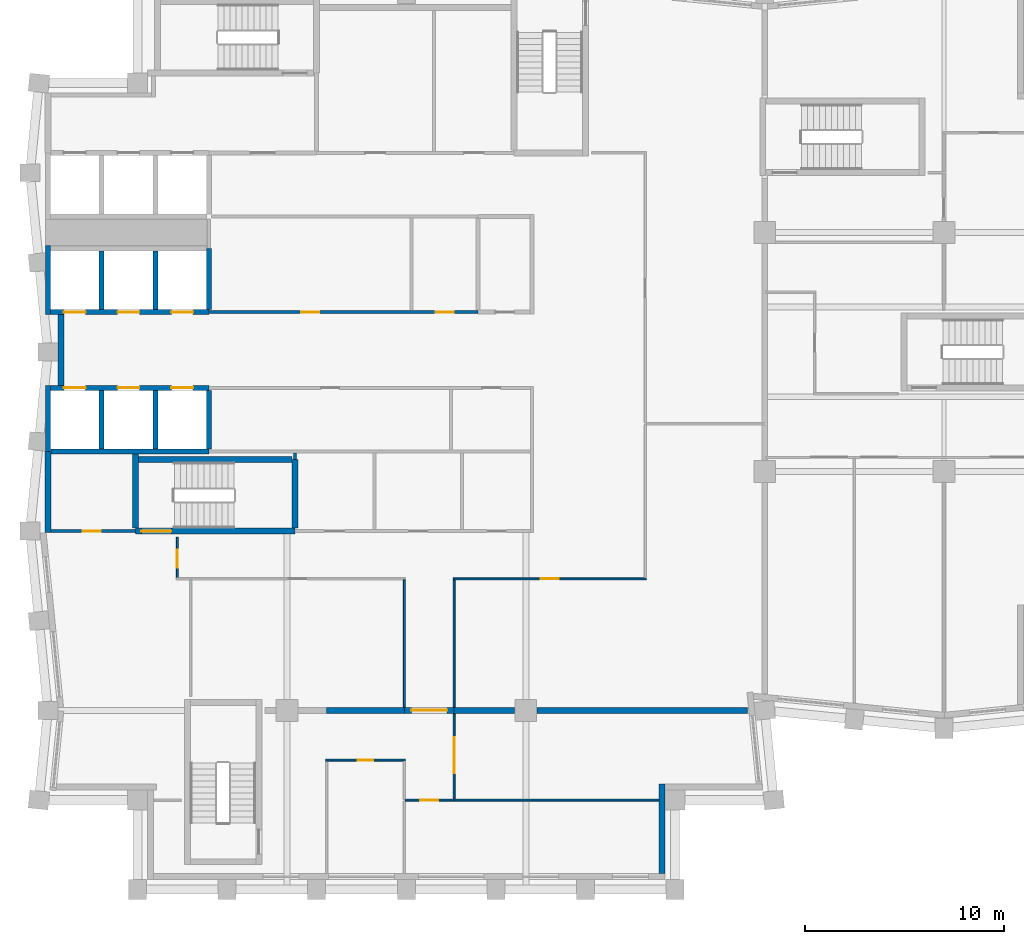
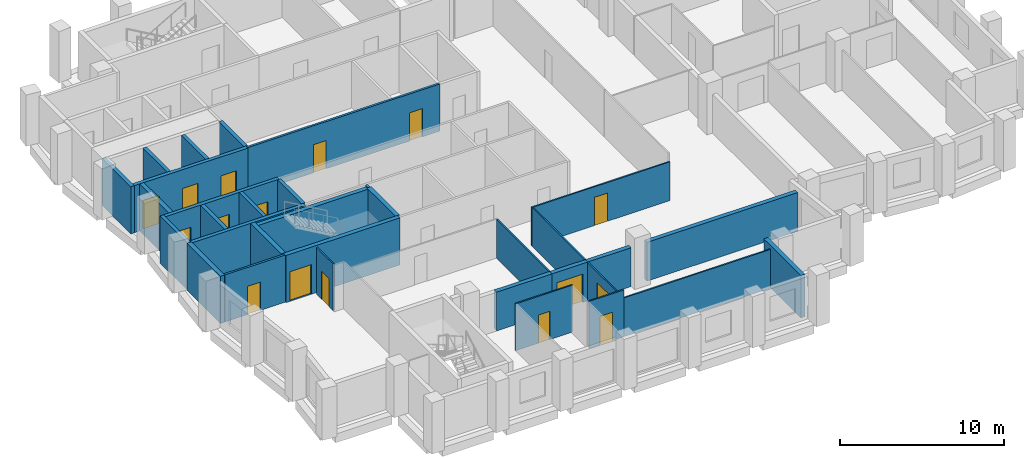
# One storey, part 3 of 8: 33 walls, 16 doors, 16 openings.
"""IFC4 building model written with IfcOpenShell, lengths in metres."""

import ifcopenshell
import ifcopenshell.guid

model = None  # the IFC model being written
_history = None  # IfcOwnerHistory: only IFC2X3 demands one
_inside = {}  # id of a spatial element -> (the spatial element, [elements in it])
_under = {}  # id of a project, library or spatial element -> (it, [spatial elements below it])
_declared = {}  # id of a project -> (the project, [libraries it declares])
_typed = {}  # id of a type object -> (the type object, [elements of that type])
_made_of = {}  # id of a material, layer set ... -> (it, [elements and type objects made of it])


def new_model(schema):
    """Start an empty IFC model of exactly this schema.

    Asked for "IFC4X3", IfcOpenShell would pick the latest addendum, in which some entities
    have other attributes; the version numbers below select the first issue.
    IFC2X3 requires an IfcOwnerHistory on every rooted entity: one is made here for all.
    """
    global model, _history
    if schema == "IFC4X3":
        model = ifcopenshell.file(schema_version=(4, 3, 0, 0))
    else:
        model = ifcopenshell.file(schema=schema)
    _inside.clear()
    _under.clear()
    _declared.clear()
    _typed.clear()
    _made_of.clear()
    _history = None
    if model.schema == "IFC2X3":
        org = make("IfcOrganization", Name="unknown")
        user = make(
            "IfcPersonAndOrganization",
            ThePerson=make("IfcPerson", FamilyName="unknown"),
            TheOrganization=org,
        )
        app = make(
            "IfcApplication",
            ApplicationDeveloper=org,
            Version="unknown",
            ApplicationFullName="unknown",
            ApplicationIdentifier="unknown",
        )
        _history = make(
            "IfcOwnerHistory",
            OwningUser=user,
            OwningApplication=app,
            ChangeAction="ADDED",
            CreationDate=0,
        )
    return model


def make(cls, **values):
    """One entity of the class cls with the attributes given. An attribute that is None is left unset."""
    return model.create_entity(
        cls, **{name: value for name, value in values.items() if value is not None}
    )


def rooted(cls, **values):
    """An entity with a GlobalId (a new one), such as an element, a storey or a relation."""
    return make(cls, GlobalId=ifcopenshell.guid.new(), OwnerHistory=_history, **values)


def si_unit(unit_type, name, prefix=None):
    """IfcSIUnit, for example si_unit("LENGTHUNIT", "METRE", prefix="MILLI")."""
    return make("IfcSIUnit", UnitType=unit_type, Prefix=prefix, Name=name)


def assignment(units):
    """IfcUnitAssignment: the units of a project."""
    return None if units is None else make("IfcUnitAssignment", Units=units)


def point(xyz):
    """IfcCartesianPoint."""
    return None if xyz is None else make("IfcCartesianPoint", Coordinates=xyz)


def direction(xyz):
    """IfcDirection."""
    return None if xyz is None else make("IfcDirection", DirectionRatios=xyz)


def frame(location, z_axis=None, x_axis=None):
    """IfcAxis2Placement3D, a coordinate frame: its origin and axes. An axis left out is left unset."""
    return make(
        "IfcAxis2Placement3D",
        Location=point(location),
        Axis=direction(z_axis),
        RefDirection=direction(x_axis),
    )


def frame_2d(location, x_axis=None):
    """IfcAxis2Placement2D, a coordinate frame in the plane: its origin and x axis."""
    return make(
        "IfcAxis2Placement2D", Location=point(location), RefDirection=direction(x_axis)
    )


def origin():
    """The frame at (0, 0, 0) with its axes left unset."""
    return frame((0.0, 0.0, 0.0))


def place(relative_to, where):
    """IfcLocalPlacement: puts the frame where relative to a parent placement (None: the world)."""
    return make(
        "IfcLocalPlacement", PlacementRelTo=relative_to, RelativePlacement=where
    )


def context(
    kind, dimensions, precision=None, world=None, true_north=None, identifier=None
):
    """IfcGeometricRepresentationContext, for example the 3D "Model" context."""
    return make(
        "IfcGeometricRepresentationContext",
        ContextIdentifier=identifier,
        ContextType=kind,
        CoordinateSpaceDimension=dimensions,
        Precision=precision,
        WorldCoordinateSystem=world,
        TrueNorth=true_north,
    )


def subcontext(parent, identifier, kind, view, scale=None):
    """IfcGeometricRepresentationSubContext, for example "Body" below "Model"."""
    return make(
        "IfcGeometricRepresentationSubContext",
        ContextIdentifier=identifier,
        ContextType=kind,
        ParentContext=parent,
        TargetScale=scale,
        TargetView=view,
    )


def project(units=None, contexts=None):
    """IfcProject with its units and contexts."""
    return rooted(
        "IfcProject",
        Name="project",
        RepresentationContexts=contexts,
        UnitsInContext=assignment(units),
    )


def spatial(cls, under=None, at=None, **own):
    """A site, building, storey or space (cls), placed at a placement, below another one or the project."""
    s = rooted(cls, ObjectPlacement=at, **own)
    if under is not None:
        _under.setdefault(under.id(), (under, []))[1].append(s)
    return s


def profile(cls, at=None, kind="AREA", **sizes):
    """A parametric profile (cls). Its sizes go by their IFC names, for example OverallWidth=200.0."""
    return make(cls, ProfileType=kind, Position=at, **sizes)


def rectangle(**sizes):
    """IfcRectangleProfileDef."""
    return profile("IfcRectangleProfileDef", **sizes)


def extrude(swept, where, along, depth):
    """IfcExtrudedAreaSolid: the profile swept, set in the frame where, extruded along a direction by depth."""
    return make(
        "IfcExtrudedAreaSolid",
        SweptArea=swept,
        Position=where,
        ExtrudedDirection=direction(along),
        Depth=depth,
    )


def shape(context_of_items, identifier, shape_type, items):
    """IfcShapeRepresentation: the items that make up one representation, for example the "Body"."""
    return make(
        "IfcShapeRepresentation",
        ContextOfItems=context_of_items,
        RepresentationIdentifier=identifier,
        RepresentationType=shape_type,
        Items=items,
    )


def material(Name=None, Category=None):
    """IfcMaterial."""
    return make("IfcMaterial", Name=Name, Category=Category)


def layer(
    of_material, thickness, ventilated=None, Name=None, Category=None, Priority=None
):
    """IfcMaterialLayer: one layer of a wall or slab, of a material (None: an air gap)."""
    return make(
        "IfcMaterialLayer",
        Material=of_material,
        LayerThickness=thickness,
        IsVentilated=ventilated,
        Name=Name,
        Category=Category,
        Priority=Priority,
    )


def layer_set(layers, Name=None):
    """IfcMaterialLayerSet."""
    return make("IfcMaterialLayerSet", MaterialLayers=layers, LayerSetName=Name)


def made_of(thing, what):
    """Note that an element or type object is made of a material, layer set ...; save() writes the relation."""
    if what is not None:
        _made_of.setdefault(what.id(), (what, []))[1].append(thing)
    return thing


def type_object(cls, material=None, **own):
    """A type object (cls), such as IfcWallType, which elements share."""
    return made_of(rooted(cls, **own), material)


def element(
    cls,
    number,
    at=None,
    inside=None,
    cuts=None,
    type_object=None,
    material=None,
    context=None,
    identifier="Body",
    shape_type=None,
    held_by="IfcProductDefinitionShape",
    body=None,
    shapes=None,
    **own,
):
    """One element of the class cls, such as IfcWall. Its Tag is "e" and its number.

    at: its placement. inside: the storey or other place that contains it. cuts: it is an
    opening in that element (IfcRelVoidsElement). A single representation is given by context,
    identifier, shape_type and body (its items); several are given by shapes. held_by: the class
    of the entity that holds the representations. save() writes the other relations.
    """
    e = rooted(cls, Tag="e%d" % number, ObjectPlacement=at, **own)
    if body is not None:
        shapes = [shape(context, identifier, shape_type, body)]
    if shapes is not None:
        e.Representation = make(held_by, Representations=shapes)
    if inside is not None:
        _inside.setdefault(inside.id(), (inside, []))[1].append(e)
    if cuts is not None:
        rooted(
            "IfcRelVoidsElement", RelatingBuildingElement=cuts, RelatedOpeningElement=e
        )
    if type_object is not None:
        _typed.setdefault(type_object.id(), (type_object, []))[1].append(e)
    return made_of(e, material)


def fill(opening, filler):
    """IfcRelFillsElement: the door or window that sits in an opening."""
    return rooted(
        "IfcRelFillsElement",
        RelatingOpeningElement=opening,
        RelatedBuildingElement=filler,
    )


def aggregate(whole, parts):
    """IfcRelAggregates: a whole, such as a stair, and the parts it consists of."""
    return rooted("IfcRelAggregates", RelatingObject=whole, RelatedObjects=parts)


def save(model, path):
    """Write the relations noted so far, then the file.

    IfcRelAggregates (storeys below a building ...), IfcRelContainedInSpatialStructure (elements
    in a storey), IfcRelDefinesByType, IfcRelAssociatesMaterial and IfcRelDeclares: one each for
    every whole, place, type object, material and project.
    """
    for whole, parts in _under.values():
        aggregate(whole, parts)
    for where, things in _inside.values():
        rooted(
            "IfcRelContainedInSpatialStructure",
            RelatedElements=things,
            RelatingStructure=where,
        )
    for kind, things in _typed.values():
        rooted("IfcRelDefinesByType", RelatedObjects=things, RelatingType=kind)
    for what, things in _made_of.values():
        rooted("IfcRelAssociatesMaterial", RelatedObjects=things, RelatingMaterial=what)
    for by, libraries in _declared.values():
        rooted("IfcRelDeclares", RelatingContext=by, RelatedDefinitions=libraries)
    model.write(path)


model = new_model("IFC4")

# Units and contexts
model_context = context("Model", 3, precision=1e-05, world=origin(), true_north=direction((0.0, 1.0)))
body_context = subcontext(model_context, "Body", "Model", "MODEL_VIEW")
ifc_project = project(units=[si_unit("LENGTHUNIT", "METRE"), si_unit("AREAUNIT", "SQUARE_METRE"), si_unit("VOLUMEUNIT", "CUBIC_METRE"), si_unit("PLANEANGLEUNIT", "RADIAN"), si_unit("MASSUNIT", "GRAM", prefix="KILO")], contexts=[model_context])

# Site, building, storey
site_placement = place(None, origin())
site = spatial("IfcSite", under=ifc_project, at=site_placement, CompositionType="ELEMENT")
building_placement = place(site_placement, origin())
building = spatial("IfcBuilding", under=site, at=building_placement, Name="Brondeck Convention Tower", CompositionType="ELEMENT")
storey_placement = place(building_placement, frame((0.0, 0.0, 210.199951171875)))
storey = spatial("IfcBuildingStorey", under=building, at=storey_placement, Name="L51", CompositionType="ELEMENT", Elevation=210.199951171875)

# Wall
ifc_material_1 = material(Name="Concrete compartment wall C30/37", Category="concrete")
ifc_layer_1 = layer(ifc_material_1, 0.300048828125)
ifc_layer_set_1 = layer_set([ifc_layer_1], Name="Compartment wall 300")
wall_type_1 = type_object("IfcWallType", Name="Compartment wall 300", PredefinedType="PARTITIONING", material=ifc_layer_set_1)
wall_1_placement = place(storey_placement, frame((14.0, 27.0, 0.0), z_axis=(0.0, 0.0, 1.0), x_axis=(1.0, 0.0, 0.0)))
element("IfcWall", 1, at=wall_1_placement, inside=storey, type_object=wall_type_1, Name="FLR-L51-W015", PredefinedType="PARTITIONING", context=body_context, shape_type="SweptSolid", body=[
    extrude(rectangle(XDim=3.89990234375, YDim=0.300048828125, at=frame_2d((1.949951171875, 0.0))), origin(), (0.0, 0.0, 1.0), 2.880126953125),
])

# Wall, opening, door
wall_2_placement = place(storey_placement, frame((20.39990234375, 27.0, 0.0), z_axis=(0.0, 0.0, 1.0), x_axis=(-1.0, 0.0, 0.0)))
wall_2 = element("IfcWall", 2, at=wall_2_placement, inside=storey, type_object=wall_type_1, Name="FLR-L51-W016", PredefinedType="PARTITIONING", context=body_context, shape_type="SweptSolid", body=[
    extrude(rectangle(XDim=2.5, YDim=0.300048828125, at=frame_2d((1.25, 0.0))), origin(), (0.0, 0.0, 1.0), 2.880126953125),
])
opening_1_placement = place(wall_2_placement, frame((0.35009765625, 0.0, 0.0)))
opening_1 = element("IfcOpeningElement", 3, at=opening_1_placement, cuts=wall_2, Name="Opening OF-L-015", PredefinedType="OPENING", context=body_context, shape_type="SweptSolid", body=[
    extrude(rectangle(XDim=1.800048828125, YDim=2.10009765625, at=frame_2d((0.89990234375, 1.050048828125))), frame((0.0, 0.159912109375, 0.0), z_axis=(0.0, -1.0, 0.0), x_axis=(1.0, 0.0, 0.0)), (0.0, 0.0, 1.0), 0.320068359375),
])
ifc_material_2 = material(Name="Steel fire door pair", Category="steel")
door_type_1 = type_object("IfcDoorType", Name="Fire door pair 1800", OperationType="DOUBLE_DOOR_SINGLE_SWING", PredefinedType="DOOR", material=ifc_material_2)
door_1_placement = place(opening_1_placement, origin())
door_1 = element("IfcDoor", 4, at=door_1_placement, inside=storey, type_object=door_type_1, Name="Door OF-L-015", OperationType="DOUBLE_DOOR_SINGLE_SWING", OverallHeight=2.10009765625, OverallWidth=1.800048828125, PredefinedType="DOOR", context=body_context, shape_type="SweptSolid", body=[
    extrude(rectangle(XDim=1.800048828125, YDim=2.10009765625, at=frame_2d((0.89990234375, 1.050048828125))), frame((0.0, 0.02490234375, 0.0), z_axis=(0.0, -1.0, 0.0), x_axis=(1.0, 0.0, 0.0)), (0.0, 0.0, 1.0), 0.050048828125),
])
fill(opening_1, door_1)

# Walls
wall_3_placement = place(storey_placement, frame((20.39990234375, 27.0, 0.0), z_axis=(0.0, 0.0, 1.0), x_axis=(1.0, 0.0, 0.0)))
element("IfcWall", 5, at=wall_3_placement, inside=storey, type_object=wall_type_1, Name="FLR-L51-W017", PredefinedType="PARTITIONING", context=body_context, shape_type="SweptSolid", body=[
    extrude(rectangle(XDim=3.045166015625, YDim=0.300048828125, at=frame_2d((1.5224609375, 0.0))), origin(), (0.0, 0.0, 1.0), 2.880126953125),
])
wall_4_placement = place(storey_placement, frame((24.554931640625, 27.0, 0.0), z_axis=(0.0, 0.0, 1.0), x_axis=(1.0, 0.0, 0.0)))
element("IfcWall", 6, at=wall_4_placement, inside=storey, type_object=wall_type_1, Name="FLR-L51-W018", PredefinedType="PARTITIONING", context=body_context, shape_type="SweptSolid", body=[
    extrude(rectangle(XDim=10.591064453125, YDim=0.300048828125, at=frame_2d((5.29541015625, 0.0))), origin(), (0.0, 0.0, 1.0), 2.880126953125),
])
ifc_material_3 = material(Name="Concrete C50/60", Category="concrete")
ifc_layer_2 = layer(ifc_material_3, 0.300048828125)
ifc_layer_set_2 = layer_set([ifc_layer_2], Name="Core outer wall 300 Concrete C50/60")
wall_type_2 = type_object("IfcWallType", Name="Core outer wall 300 Concrete C50/60", PredefinedType="SHEAR", material=ifc_layer_set_2)
wall_5_placement = place(storey_placement, frame((0.0, 35.925048828125, 0.0), z_axis=(0.0, 0.0, 1.0), x_axis=(0.0, 1.0, 0.0)))
element("IfcWall", 7, at=wall_5_placement, inside=storey, type_object=wall_type_2, Name="L51 core wall", PredefinedType="SHEAR", context=body_context, shape_type="SweptSolid", body=[
    extrude(rectangle(XDim=4.074951171875, YDim=0.300048828125, at=frame_2d((2.03759765625, 0.0))), origin(), (0.0, 0.0, 1.0), 3.5),
])
wall_6_placement = place(storey_placement, frame((0.64990234375, 43.324951171875, 0.0), z_axis=(0.0, 0.0, 1.0), x_axis=(0.0, 1.0, 0.0)))
element("IfcWall", 8, at=wall_6_placement, inside=storey, type_object=wall_type_2, Name="L51 core wall", PredefinedType="SHEAR", context=body_context, shape_type="SweptSolid", body=[
    extrude(rectangle(XDim=3.550048828125, YDim=0.300048828125, at=frame_2d((1.77490234375, 0.0))), origin(), (0.0, 0.0, 1.0), 3.5),
])

# Wall, opening, door
ifc_material_4 = material(Name="Fire-rated gypsum board partition")
ifc_layer_3 = layer(ifc_material_4, 0.14990234375)
ifc_layer_set_3 = layer_set([ifc_layer_3], Name="Core partition 150 EI 60")
wall_type_3 = type_object("IfcWallType", Name="Core partition 150 EI 60", PredefinedType="PARTITIONING", material=ifc_layer_set_3)
wall_7_placement = place(storey_placement, frame((0.14990234375, 36.0, 0.0), z_axis=(0.0, 0.0, 1.0), x_axis=(1.0, 0.0, 0.0)))
wall_7 = element("IfcWall", 9, at=wall_7_placement, inside=storey, type_object=wall_type_3, Name="L51 core wall", PredefinedType="PARTITIONING", context=body_context, shape_type="SweptSolid", body=[
    extrude(rectangle(XDim=4.25, YDim=0.14990234375, at=frame_2d((2.125, 0.0))), origin(), (0.0, 0.0, 1.0), 3.5),
])
opening_2_placement = place(wall_7_placement, frame((1.60009765625, 0.0, 0.0)))
opening_2 = element("IfcOpeningElement", 10, at=opening_2_placement, cuts=wall_7, Name="Opening C29-06", PredefinedType="OPENING", context=body_context, shape_type="SweptSolid", body=[
    extrude(rectangle(XDim=0.89990234375, YDim=2.10009765625, at=frame_2d((0.449951171875, 1.050048828125))), frame((0.0, 0.0849609375, 0.0), z_axis=(0.0, -1.0, 0.0), x_axis=(1.0, 0.0, 0.0)), (0.0, 0.0, 1.0), 0.169921875),
])
ifc_material_5 = material(Name="Steel fire door", Category="steel")
door_type_2 = type_object("IfcDoorType", Name="Room door 900x2100 EI 60", OperationType="NOTDEFINED", PredefinedType="DOOR", material=ifc_material_5)
door_2_placement = place(opening_2_placement, origin())
door_2 = element("IfcDoor", 11, at=door_2_placement, inside=storey, type_object=door_type_2, Name="L51 Room door FRW-1", OperationType="SINGLE_SWING_LEFT", OverallHeight=2.10009765625, OverallWidth=0.89990234375, PredefinedType="DOOR", context=body_context, shape_type="SweptSolid", body=[
    extrude(rectangle(XDim=0.89990234375, YDim=2.10009765625, at=frame_2d((0.449951171875, 1.050048828125))), frame((0.0, 0.02490234375, 0.0), z_axis=(0.0, -1.0, 0.0), x_axis=(1.0, 0.0, 0.0)), (0.0, 0.0, 1.0), 0.050048828125),
])
fill(opening_2, door_2)

# Wall, openings, doors
wall_8_placement = place(storey_placement, frame((8.10009765625, 47.0, 0.0), z_axis=(0.0, 0.0, 1.0), x_axis=(1.0, 0.0, 0.0)))
wall_8 = element("IfcWall", 12, at=wall_8_placement, inside=storey, type_object=wall_type_3, Name="L51 core wall", PredefinedType="PARTITIONING", context=body_context, shape_type="SweptSolid", body=[
    extrude(rectangle(XDim=13.5, YDim=0.14990234375, at=frame_2d((6.75, 0.0))), origin(), (0.0, 0.0, 1.0), 3.5),
])
opening_3_placement = place(wall_8_placement, frame((4.625, 0.0, 0.0)))
opening_3 = element("IfcOpeningElement", 13, at=opening_3_placement, cuts=wall_8, Name="Opening C29-07", PredefinedType="OPENING", context=body_context, shape_type="SweptSolid", body=[
    extrude(rectangle(XDim=0.89990234375, YDim=2.10009765625, at=frame_2d((0.449951171875, 1.050048828125))), frame((0.0, 0.0849609375, 0.0), z_axis=(0.0, -1.0, 0.0), x_axis=(1.0, 0.0, 0.0)), (0.0, 0.0, 1.0), 0.169921875),
])
opening_4_placement = place(wall_8_placement, frame((11.375, 0.0, 0.0)))
opening_4 = element("IfcOpeningElement", 14, at=opening_4_placement, cuts=wall_8, Name="Opening C29-08", PredefinedType="OPENING", context=body_context, shape_type="SweptSolid", body=[
    extrude(rectangle(XDim=0.89990234375, YDim=2.10009765625, at=frame_2d((0.449951171875, 1.050048828125))), frame((0.0, 0.0849609375, 0.0), z_axis=(0.0, -1.0, 0.0), x_axis=(1.0, 0.0, 0.0)), (0.0, 0.0, 1.0), 0.169921875),
])
door_3_placement = place(opening_3_placement, origin())
door_3 = element("IfcDoor", 15, at=door_3_placement, inside=storey, type_object=door_type_2, Name="L51 Room door FZ-N-8.1-1", OperationType="SINGLE_SWING_LEFT", OverallHeight=2.10009765625, OverallWidth=0.89990234375, PredefinedType="DOOR", context=body_context, shape_type="SweptSolid", body=[
    extrude(rectangle(XDim=0.89990234375, YDim=2.10009765625, at=frame_2d((0.449951171875, 1.050048828125))), frame((0.0, 0.02490234375, 0.0), z_axis=(0.0, -1.0, 0.0), x_axis=(1.0, 0.0, 0.0)), (0.0, 0.0, 1.0), 0.050048828125),
])
fill(opening_3, door_3)
door_4_placement = place(opening_4_placement, origin())
door_4 = element("IfcDoor", 16, at=door_4_placement, inside=storey, type_object=door_type_2, Name="L51 Room door FZ-N-8.1-2", OperationType="SINGLE_SWING_RIGHT", OverallHeight=2.10009765625, OverallWidth=0.89990234375, PredefinedType="DOOR", context=body_context, shape_type="SweptSolid", body=[
    extrude(rectangle(XDim=0.89990234375, YDim=2.10009765625, at=frame_2d((0.449951171875, 1.050048828125))), frame((0.0, 0.02490234375, 0.0), z_axis=(0.0, -1.0, 0.0), x_axis=(1.0, 0.0, 0.0)), (0.0, 0.0, 1.0), 0.050048828125),
])
fill(opening_4, door_4)

# Walls
wall_9_placement = place(storey_placement, frame((12.39990234375, 39.60009765625, 0.0), z_axis=(0.0, 0.0, 1.0), x_axis=(0.0, 1.0, 0.0)))
element("IfcWall", 17, at=wall_9_placement, inside=storey, type_object=wall_type_3, Name="L51 core wall", PredefinedType="PARTITIONING", context=body_context, shape_type="SweptSolid", body=[
    extrude(rectangle(XDim=0.324951171875, YDim=0.14990234375, at=frame_2d((0.16259765625, 0.0))), origin(), (0.0, 0.0, 1.0), 3.5),
])
ifc_material_6 = material(Name="Precast concrete C50/60 bronze finish", Category="concrete")
ifc_layer_4 = layer(ifc_material_6, 0.070068359375, Name="Bronze precast facing")
ifc_material_7 = material(Name="Mineral wool")
ifc_layer_5 = layer(ifc_material_7, 0.159912109375, Name="Insulation")
ifc_material_8 = material(Name="Concrete C35/45", Category="concrete")
ifc_layer_6 = layer(ifc_material_8, 0.070068359375, Name="Backing")
ifc_layer_set_4 = layer_set([ifc_layer_4, ifc_layer_5, ifc_layer_6], Name="External infill wall, precast concrete C50/60 bronze facing")
wall_type_4 = type_object("IfcWallType", Name="External infill wall, precast concrete C50/60 bronze facing", PredefinedType="SOLIDWALL", material=ifc_layer_set_4)
wall_10_placement = place(storey_placement, frame((30.85009765625, 23.300048828125, 0.0), z_axis=(0.0, 0.0, 1.0), x_axis=(0.0, -1.0, 0.0)))
element("IfcWall", 18, at=wall_10_placement, inside=storey, type_object=wall_type_4, Name="ENV-EW-L51-P2-NC-SEB18-01", PredefinedType="SOLIDWALL", context=body_context, shape_type="SweptSolid", body=[
    extrude(rectangle(XDim=4.5, YDim=0.300048828125, at=frame_2d((2.25, 0.0))), origin(), (0.0, 0.0, 1.0), 3.150146484375),
])
ifc_layer_7 = layer(ifc_material_3, 0.25)
ifc_layer_set_5 = layer_set([ifc_layer_7], Name="Lift shaft wall 250 Concrete C50/60")
wall_type_5 = type_object("IfcWallType", Name="Lift shaft wall 250 Concrete C50/60", PredefinedType="SHEAR", material=ifc_layer_set_5)
wall_11_placement = place(storey_placement, frame((0.14990234375, 40.0, 0.0), z_axis=(0.0, 0.0, 1.0), x_axis=(1.0, 0.0, 0.0)))
element("IfcWall", 19, at=wall_11_placement, inside=storey, type_object=wall_type_5, Name="L51 core wall", PredefinedType="SHEAR", context=body_context, shape_type="SweptSolid", body=[
    extrude(rectangle(XDim=7.9501953125, YDim=0.25, at=frame_2d((3.97509765625, 0.0))), origin(), (0.0, 0.0, 1.0), 3.5),
])

# Wall, openings, doors
wall_12_placement = place(storey_placement, frame((0.125, 43.199951171875, 0.0), z_axis=(0.0, 0.0, 1.0), x_axis=(1.0, 0.0, 0.0)))
wall_12 = element("IfcWall", 20, at=wall_12_placement, inside=storey, type_object=wall_type_5, Name="L51 core wall", PredefinedType="SHEAR", context=body_context, shape_type="SweptSolid", body=[
    extrude(rectangle(XDim=7.97509765625, YDim=0.25, at=frame_2d((3.987548828125, 0.0))), origin(), (0.0, 0.0, 1.0), 3.5),
])
opening_5_placement = place(wall_12_placement, frame((0.675048828125, 0.0, 0.0)))
opening_5 = element("IfcOpeningElement", 21, at=opening_5_placement, cuts=wall_12, Name="Opening C29-22", PredefinedType="OPENING", context=body_context, shape_type="SweptSolid", body=[
    extrude(rectangle(XDim=1.10009765625, YDim=2.10009765625, at=frame_2d((0.550048828125, 1.050048828125))), frame((0.0, 0.135009765625, 0.0), z_axis=(0.0, -1.0, 0.0), x_axis=(1.0, 0.0, 0.0)), (0.0, 0.0, 1.0), 0.27001953125),
])
opening_6_placement = place(wall_12_placement, frame((3.375, 0.0, 0.0)))
opening_6 = element("IfcOpeningElement", 22, at=opening_6_placement, cuts=wall_12, Name="Opening C29-23", PredefinedType="OPENING", context=body_context, shape_type="SweptSolid", body=[
    extrude(rectangle(XDim=1.10009765625, YDim=2.10009765625, at=frame_2d((0.550048828125, 1.050048828125))), frame((0.0, 0.135009765625, 0.0), z_axis=(0.0, -1.0, 0.0), x_axis=(1.0, 0.0, 0.0)), (0.0, 0.0, 1.0), 0.27001953125),
])
opening_7_placement = place(wall_12_placement, frame((6.074951171875, 0.0, 0.0)))
opening_7 = element("IfcOpeningElement", 23, at=opening_7_placement, cuts=wall_12, Name="Opening C29-24", PredefinedType="OPENING", context=body_context, shape_type="SweptSolid", body=[
    extrude(rectangle(XDim=1.10009765625, YDim=2.10009765625, at=frame_2d((0.550048828125, 1.050048828125))), frame((0.0, 0.135009765625, 0.0), z_axis=(0.0, -1.0, 0.0), x_axis=(1.0, 0.0, 0.0)), (0.0, 0.0, 1.0), 0.27001953125),
])
ifc_material_9 = material(Name="Stainless steel lift door", Category="steel")
door_type_3 = type_object("IfcDoorType", Name="Lift landing door 1100x2100 EI 180", OperationType="DOUBLE_DOOR_SLIDING", PredefinedType="DOOR", material=ifc_material_9)
door_5_placement = place(opening_5_placement, origin())
door_5 = element("IfcDoor", 24, at=door_5_placement, inside=storey, type_object=door_type_3, Name="L51 Lift landing door HR1", OperationType="DOUBLE_DOOR_SLIDING", OverallHeight=2.10009765625, OverallWidth=1.10009765625, PredefinedType="DOOR", context=body_context, shape_type="SweptSolid", body=[
    extrude(rectangle(XDim=1.10009765625, YDim=2.10009765625, at=frame_2d((0.550048828125, 1.050048828125))), frame((0.0, 0.02490234375, 0.0), z_axis=(0.0, -1.0, 0.0), x_axis=(1.0, 0.0, 0.0)), (0.0, 0.0, 1.0), 0.050048828125),
])
fill(opening_5, door_5)
door_6_placement = place(opening_6_placement, origin())
door_6 = element("IfcDoor", 25, at=door_6_placement, inside=storey, type_object=door_type_3, Name="L51 Lift landing door HR2", OperationType="DOUBLE_DOOR_SLIDING", OverallHeight=2.10009765625, OverallWidth=1.10009765625, PredefinedType="DOOR", context=body_context, shape_type="SweptSolid", body=[
    extrude(rectangle(XDim=1.10009765625, YDim=2.10009765625, at=frame_2d((0.550048828125, 1.050048828125))), frame((0.0, 0.02490234375, 0.0), z_axis=(0.0, -1.0, 0.0), x_axis=(1.0, 0.0, 0.0)), (0.0, 0.0, 1.0), 0.050048828125),
])
fill(opening_6, door_6)
door_7_placement = place(opening_7_placement, origin())
door_7 = element("IfcDoor", 26, at=door_7_placement, inside=storey, type_object=door_type_3, Name="L51 Lift landing door HR3", OperationType="DOUBLE_DOOR_SLIDING", OverallHeight=2.10009765625, OverallWidth=1.10009765625, PredefinedType="DOOR", context=body_context, shape_type="SweptSolid", body=[
    extrude(rectangle(XDim=1.10009765625, YDim=2.10009765625, at=frame_2d((0.550048828125, 1.050048828125))), frame((0.0, 0.02490234375, 0.0), z_axis=(0.0, -1.0, 0.0), x_axis=(1.0, 0.0, 0.0)), (0.0, 0.0, 1.0), 0.050048828125),
])
fill(opening_7, door_7)

wall_13_placement = place(storey_placement, frame((0.125, 47.0, 0.0), z_axis=(0.0, 0.0, 1.0), x_axis=(1.0, 0.0, 0.0)))
wall_13 = element("IfcWall", 27, at=wall_13_placement, inside=storey, type_object=wall_type_5, Name="L51 core wall", PredefinedType="SHEAR", context=body_context, shape_type="SweptSolid", body=[
    extrude(rectangle(XDim=7.97509765625, YDim=0.25, at=frame_2d((3.987548828125, 0.0))), origin(), (0.0, 0.0, 1.0), 3.5),
])
opening_8_placement = place(wall_13_placement, frame((0.675048828125, 0.0, 0.0)))
opening_8 = element("IfcOpeningElement", 28, at=opening_8_placement, cuts=wall_13, Name="Opening C29-25", PredefinedType="OPENING", context=body_context, shape_type="SweptSolid", body=[
    extrude(rectangle(XDim=1.10009765625, YDim=2.10009765625, at=frame_2d((0.550048828125, 1.050048828125))), frame((0.0, 0.135009765625, 0.0), z_axis=(0.0, -1.0, 0.0), x_axis=(1.0, 0.0, 0.0)), (0.0, 0.0, 1.0), 0.27001953125),
])
opening_9_placement = place(wall_13_placement, frame((3.375, 0.0, 0.0)))
opening_9 = element("IfcOpeningElement", 29, at=opening_9_placement, cuts=wall_13, Name="Opening C29-26", PredefinedType="OPENING", context=body_context, shape_type="SweptSolid", body=[
    extrude(rectangle(XDim=1.10009765625, YDim=2.10009765625, at=frame_2d((0.550048828125, 1.050048828125))), frame((0.0, 0.135009765625, 0.0), z_axis=(0.0, -1.0, 0.0), x_axis=(1.0, 0.0, 0.0)), (0.0, 0.0, 1.0), 0.27001953125),
])
opening_10_placement = place(wall_13_placement, frame((6.074951171875, 0.0, 0.0)))
opening_10 = element("IfcOpeningElement", 30, at=opening_10_placement, cuts=wall_13, Name="Opening C29-27", PredefinedType="OPENING", context=body_context, shape_type="SweptSolid", body=[
    extrude(rectangle(XDim=1.10009765625, YDim=2.10009765625, at=frame_2d((0.550048828125, 1.050048828125))), frame((0.0, 0.135009765625, 0.0), z_axis=(0.0, -1.0, 0.0), x_axis=(1.0, 0.0, 0.0)), (0.0, 0.0, 1.0), 0.27001953125),
])
door_8_placement = place(opening_8_placement, origin())
door_8 = element("IfcDoor", 31, at=door_8_placement, inside=storey, type_object=door_type_3, Name="L51 Lift landing door HR4", OperationType="DOUBLE_DOOR_SLIDING", OverallHeight=2.10009765625, OverallWidth=1.10009765625, PredefinedType="DOOR", context=body_context, shape_type="SweptSolid", body=[
    extrude(rectangle(XDim=1.10009765625, YDim=2.10009765625, at=frame_2d((0.550048828125, 1.050048828125))), frame((0.0, 0.02490234375, 0.0), z_axis=(0.0, -1.0, 0.0), x_axis=(1.0, 0.0, 0.0)), (0.0, 0.0, 1.0), 0.050048828125),
])
fill(opening_8, door_8)
door_9_placement = place(opening_9_placement, origin())
door_9 = element("IfcDoor", 32, at=door_9_placement, inside=storey, type_object=door_type_3, Name="L51 Lift landing door HR5", OperationType="DOUBLE_DOOR_SLIDING", OverallHeight=2.10009765625, OverallWidth=1.10009765625, PredefinedType="DOOR", context=body_context, shape_type="SweptSolid", body=[
    extrude(rectangle(XDim=1.10009765625, YDim=2.10009765625, at=frame_2d((0.550048828125, 1.050048828125))), frame((0.0, 0.02490234375, 0.0), z_axis=(0.0, -1.0, 0.0), x_axis=(1.0, 0.0, 0.0)), (0.0, 0.0, 1.0), 0.050048828125),
])
fill(opening_9, door_9)
door_10_placement = place(opening_10_placement, origin())
door_10 = element("IfcDoor", 33, at=door_10_placement, inside=storey, type_object=door_type_3, Name="L51 Lift landing door HR6", OperationType="DOUBLE_DOOR_SLIDING", OverallHeight=2.10009765625, OverallWidth=1.10009765625, PredefinedType="DOOR", context=body_context, shape_type="SweptSolid", body=[
    extrude(rectangle(XDim=1.10009765625, YDim=2.10009765625, at=frame_2d((0.550048828125, 1.050048828125))), frame((0.0, 0.02490234375, 0.0), z_axis=(0.0, -1.0, 0.0), x_axis=(1.0, 0.0, 0.0)), (0.0, 0.0, 1.0), 0.050048828125),
])
fill(opening_10, door_10)

# Walls
wall_14_placement = place(storey_placement, frame((0.0, 40.0, 0.0), z_axis=(0.0, 0.0, 1.0), x_axis=(0.0, 1.0, 0.0)))
element("IfcWall", 34, at=wall_14_placement, inside=storey, type_object=wall_type_5, Name="L51 core wall", PredefinedType="SHEAR", context=body_context, shape_type="SweptSolid", body=[
    extrude(rectangle(XDim=3.324951171875, YDim=0.25, at=frame_2d((1.66259765625, 0.0))), origin(), (0.0, 0.0, 1.0), 3.5),
])
wall_15_placement = place(storey_placement, frame((0.0, 46.875, 0.0), z_axis=(0.0, 0.0, 1.0), x_axis=(0.0, 1.0, 0.0)))
element("IfcWall", 35, at=wall_15_placement, inside=storey, type_object=wall_type_5, Name="L51 core wall", PredefinedType="SHEAR", context=body_context, shape_type="SweptSolid", body=[
    extrude(rectangle(XDim=3.47509765625, YDim=0.25, at=frame_2d((1.737548828125, 0.0))), origin(), (0.0, 0.0, 1.0), 3.5),
])
for number, where, z_axis, x_axis, name in (
    (36, (2.699951171875, 40.125, 0.0), (0.0, 0.0, 1.0), (0.0, 1.0, 0.0), "L51 core wall"),
    (37, (2.699951171875, 47.125, 0.0), (0.0, 0.0, 1.0), (0.0, 1.0, 0.0), "L51 core wall"),
    (38, (5.39990234375, 40.125, 0.0), (0.0, 0.0, 1.0), (0.0, 1.0, 0.0), "L51 core wall"),
    (39, (5.39990234375, 47.125, 0.0), (0.0, 0.0, 1.0), (0.0, 1.0, 0.0), "L51 core wall"),
    (40, (8.10009765625, 40.125, 0.0), (0.0, 0.0, 1.0), (0.0, 1.0, 0.0), "L51 core wall"),
):
    element("IfcWall", number, at=place(storey_placement, frame(where, z_axis=z_axis, x_axis=x_axis)), inside=storey, type_object=wall_type_5, Name=name, PredefinedType="SHEAR", context=body_context, shape_type="SweptSolid", body=[
        extrude(rectangle(XDim=2.949951171875, YDim=0.25, at=frame_2d((1.47509765625, 0.0))), origin(), (0.0, 0.0, 1.0), 3.5),
    ])
wall_16_placement = place(storey_placement, frame((8.10009765625, 47.125, 0.0), z_axis=(0.0, 0.0, 1.0), x_axis=(0.0, 1.0, 0.0)))
element("IfcWall", 41, at=wall_16_placement, inside=storey, type_object=wall_type_5, Name="L51 core wall", PredefinedType="SHEAR", context=body_context, shape_type="SweptSolid", body=[
    extrude(rectangle(XDim=3.074951171875, YDim=0.25, at=frame_2d((1.53759765625, 0.0))), origin(), (0.0, 0.0, 1.0), 3.5),
])

# Wall, opening, door
ifc_material_10 = material(Name="Gypsum board partition on steel studs", Category="steel")
ifc_layer_8 = layer(ifc_material_10, 0.10009765625)
ifc_layer_set_6 = layer_set([ifc_layer_8], Name="Room partition 100")
wall_type_6 = type_object("IfcWallType", Name="Room partition 100", PredefinedType="PARTITIONING", material=ifc_layer_set_6)
wall_17_placement = place(storey_placement, frame((20.39990234375, 22.5, 0.0), z_axis=(0.0, 0.0, 1.0), x_axis=(-1.0, 0.0, 0.0)))
wall_17 = element("IfcWall", 42, at=wall_17_placement, inside=storey, type_object=wall_type_6, Name="FLR-L51-W003", PredefinedType="PARTITIONING", context=body_context, shape_type="SweptSolid", body=[
    extrude(rectangle(XDim=2.449951171875, YDim=0.10009765625, at=frame_2d((1.22509765625, 0.0))), origin(), (0.0, 0.0, 1.0), 3.47998046875),
])
opening_11_placement = place(wall_17_placement, frame((0.800048828125, 0.0, 0.0)))
opening_11 = element("IfcOpeningElement", 43, at=opening_11_placement, cuts=wall_17, Name="Opening OF-L-009", PredefinedType="OPENING", context=body_context, shape_type="SweptSolid", body=[
    extrude(rectangle(XDim=0.89990234375, YDim=2.10009765625, at=frame_2d((0.449951171875, 1.050048828125))), frame((0.0, 0.06005859375, 0.0), z_axis=(0.0, -1.0, 0.0), x_axis=(1.0, 0.0, 0.0)), (0.0, 0.0, 1.0), 0.1201171875),
])
ifc_material_11 = material(Name="Solid timber door leaf", Category="wood")
door_type_4 = type_object("IfcDoorType", Name="Single door 900", OperationType="NOTDEFINED", PredefinedType="DOOR", material=ifc_material_11)
door_11_placement = place(opening_11_placement, origin())
door_11 = element("IfcDoor", 44, at=door_11_placement, inside=storey, type_object=door_type_4, Name="Door OF-L-009", OperationType="SINGLE_SWING_LEFT", OverallHeight=2.10009765625, OverallWidth=0.89990234375, PredefinedType="DOOR", context=body_context, shape_type="SweptSolid", body=[
    extrude(rectangle(XDim=0.89990234375, YDim=2.10009765625, at=frame_2d((0.449951171875, 1.050048828125))), frame((0.0, 0.02490234375, 0.0), z_axis=(0.0, -1.0, 0.0), x_axis=(1.0, 0.0, 0.0)), (0.0, 0.0, 1.0), 0.050048828125),
])
fill(opening_11, door_11)

# Wall
wall_18_placement = place(storey_placement, frame((20.39990234375, 22.5, 0.0), z_axis=(0.0, 0.0, 1.0), x_axis=(1.0, 0.0, 0.0)))
element("IfcWall", 45, at=wall_18_placement, inside=storey, type_object=wall_type_6, Name="FLR-L51-W004", PredefinedType="PARTITIONING", context=body_context, shape_type="SweptSolid", body=[
    extrude(rectangle(XDim=10.280029296875, YDim=0.10009765625, at=frame_2d((5.14013671875, 0.0))), origin(), (0.0, 0.0, 1.0), 2.880126953125),
])

# Wall, opening, door
wall_19_placement = place(storey_placement, frame((17.949951171875, 24.5, 0.0), z_axis=(0.0, 0.0, 1.0), x_axis=(-1.0, 0.0, 0.0)))
wall_19 = element("IfcWall", 46, at=wall_19_placement, inside=storey, type_object=wall_type_6, Name="FLR-L51-W010", PredefinedType="PARTITIONING", context=body_context, shape_type="SweptSolid", body=[
    extrude(rectangle(XDim=4.0, YDim=0.10009765625, at=frame_2d((2.0, 0.0))), origin(), (0.0, 0.0, 1.0), 3.47998046875),
])
opening_12_placement = place(wall_19_placement, frame((1.60009765625, 0.0, 0.0)))
opening_12 = element("IfcOpeningElement", 47, at=opening_12_placement, cuts=wall_19, Name="Opening OF-L-002", PredefinedType="OPENING", context=body_context, shape_type="SweptSolid", body=[
    extrude(rectangle(XDim=0.800048828125, YDim=2.10009765625, at=frame_2d((0.39990234375, 1.050048828125))), frame((0.0, 0.06005859375, 0.0), z_axis=(0.0, -1.0, 0.0), x_axis=(1.0, 0.0, 0.0)), (0.0, 0.0, 1.0), 0.1201171875),
])
ifc_material_12 = material(Name="Steel service door leaf", Category="steel")
door_type_5 = type_object("IfcDoorType", Name="Service door 800", OperationType="NOTDEFINED", PredefinedType="DOOR", material=ifc_material_12)
door_12_placement = place(opening_12_placement, origin())
door_12 = element("IfcDoor", 48, at=door_12_placement, inside=storey, type_object=door_type_5, Name="Door OF-L-002", OperationType="SINGLE_SWING_RIGHT", OverallHeight=2.10009765625, OverallWidth=0.800048828125, PredefinedType="DOOR", context=body_context, shape_type="SweptSolid", body=[
    extrude(rectangle(XDim=0.800048828125, YDim=2.10009765625, at=frame_2d((0.39990234375, 1.050048828125))), frame((0.0, 0.02490234375, 0.0), z_axis=(0.0, -1.0, 0.0), x_axis=(1.0, 0.0, 0.0)), (0.0, 0.0, 1.0), 0.050048828125),
])
fill(opening_12, door_12)

wall_20_placement = place(storey_placement, frame((20.39990234375, 26.830078125, 0.0), z_axis=(0.0, 0.0, 1.0), x_axis=(0.0, -1.0, 0.0)))
wall_20 = element("IfcWall", 49, at=wall_20_placement, inside=storey, type_object=wall_type_6, Name="FLR-L51-W011", PredefinedType="PARTITIONING", context=body_context, shape_type="SweptSolid", body=[
    extrude(rectangle(XDim=4.280029296875, YDim=0.10009765625, at=frame_2d((2.14013671875, 0.0))), origin(), (0.0, 0.0, 1.0), 2.880126953125),
])
opening_13_placement = place(wall_20_placement, frame((1.179931640625, 0.0, 0.0)))
opening_13 = element("IfcOpeningElement", 50, at=opening_13_placement, cuts=wall_20, Name="Opening OF-L-010", PredefinedType="OPENING", context=body_context, shape_type="SweptSolid", body=[
    extrude(rectangle(XDim=1.800048828125, YDim=2.10009765625, at=frame_2d((0.89990234375, 1.050048828125))), frame((0.0, 0.06005859375, 0.0), z_axis=(0.0, -1.0, 0.0), x_axis=(1.0, 0.0, 0.0)), (0.0, 0.0, 1.0), 0.1201171875),
])
ifc_material_13 = material(Name="Glazed timber double door", Category="wood")
door_type_6 = type_object("IfcDoorType", Name="Double door 1800", OperationType="DOUBLE_DOOR_SINGLE_SWING", PredefinedType="DOOR", material=ifc_material_13)
door_13_placement = place(opening_13_placement, origin())
door_13 = element("IfcDoor", 51, at=door_13_placement, inside=storey, type_object=door_type_6, Name="Door OF-L-010", OperationType="DOUBLE_DOOR_SINGLE_SWING", OverallHeight=2.10009765625, OverallWidth=1.800048828125, PredefinedType="DOOR", context=body_context, shape_type="SweptSolid", body=[
    extrude(rectangle(XDim=1.800048828125, YDim=2.10009765625, at=frame_2d((0.89990234375, 1.050048828125))), frame((0.0, 0.02490234375, 0.0), z_axis=(0.0, -1.0, 0.0), x_axis=(1.0, 0.0, 0.0)), (0.0, 0.0, 1.0), 0.050048828125),
])
fill(opening_13, door_13)

# Walls
for number, where, z_axis, x_axis, name in (
    (52, (17.89990234375, 27.169921875, 0.0), (0.0, 0.0, 1.0), (0.0, 1.0, 0.0), "FLR-L51-W019"),
    (53, (20.39990234375, 33.550048828125, 0.0), (0.0, 0.0, 1.0), (0.0, -1.0, 0.0), "FLR-L51-W025"),
):
    element("IfcWall", number, at=place(storey_placement, frame(where, z_axis=z_axis, x_axis=x_axis)), inside=storey, type_object=wall_type_6, Name=name, PredefinedType="PARTITIONING", context=body_context, shape_type="SweptSolid", body=[
        extrude(rectangle(XDim=6.380126953125, YDim=0.10009765625, at=frame_2d((3.18994140625, 0.0))), origin(), (0.0, 0.0, 1.0), 2.880126953125),
    ])

# Wall, opening, door
wall_21_placement = place(storey_placement, frame((30.050048828125, 33.60009765625, 0.0), z_axis=(0.0, 0.0, 1.0), x_axis=(-1.0, 0.0, 0.0)))
wall_21 = element("IfcWall", 54, at=wall_21_placement, inside=storey, type_object=wall_type_6, Name="FLR-L51-W028", PredefinedType="PARTITIONING", context=body_context, shape_type="SweptSolid", body=[
    extrude(rectangle(XDim=9.699951171875, YDim=0.10009765625, at=frame_2d((4.85009765625, 0.0))), origin(), (0.0, 0.0, 1.0), 2.880126953125),
])
opening_14_placement = place(wall_21_placement, frame((4.39990234375, 0.0, 0.0)))
opening_14 = element("IfcOpeningElement", 55, at=opening_14_placement, cuts=wall_21, Name="Opening OF-L-013", PredefinedType="OPENING", context=body_context, shape_type="SweptSolid", body=[
    extrude(rectangle(XDim=0.89990234375, YDim=2.10009765625, at=frame_2d((0.449951171875, 1.050048828125))), frame((0.0, 0.06005859375, 0.0), z_axis=(0.0, -1.0, 0.0), x_axis=(1.0, 0.0, 0.0)), (0.0, 0.0, 1.0), 0.1201171875),
])
door_14_placement = place(opening_14_placement, origin())
door_14 = element("IfcDoor", 56, at=door_14_placement, inside=storey, type_object=door_type_4, Name="Door OF-L-013", OperationType="SINGLE_SWING_RIGHT", OverallHeight=2.10009765625, OverallWidth=0.89990234375, PredefinedType="DOOR", context=body_context, shape_type="SweptSolid", body=[
    extrude(rectangle(XDim=0.89990234375, YDim=2.10009765625, at=frame_2d((0.449951171875, 1.050048828125))), frame((0.0, 0.02490234375, 0.0), z_axis=(0.0, -1.0, 0.0), x_axis=(1.0, 0.0, 0.0)), (0.0, 0.0, 1.0), 0.050048828125),
])
fill(opening_14, door_14)

wall_22_placement = place(storey_placement, frame((6.5, 33.64990234375, 0.0), z_axis=(0.0, 0.0, 1.0), x_axis=(0.0, 1.0, 0.0)))
wall_22 = element("IfcWall", 57, at=wall_22_placement, inside=storey, type_object=wall_type_6, Name="FLR-L51-W029", PredefinedType="PARTITIONING", context=body_context, shape_type="SweptSolid", body=[
    extrude(rectangle(XDim=2.050048828125, YDim=0.10009765625, at=frame_2d((1.02490234375, 0.0))), origin(), (0.0, 0.0, 1.0), 3.47998046875),
])
opening_15_placement = place(wall_22_placement, frame((0.52490234375, 0.0, 0.0)))
opening_15 = element("IfcOpeningElement", 58, at=opening_15_placement, cuts=wall_22, Name="Opening OF-L-011", PredefinedType="OPENING", context=body_context, shape_type="SweptSolid", body=[
    extrude(rectangle(XDim=0.89990234375, YDim=2.10009765625, at=frame_2d((0.449951171875, 1.050048828125))), frame((0.0, 0.06005859375, 0.0), z_axis=(0.0, -1.0, 0.0), x_axis=(1.0, 0.0, 0.0)), (0.0, 0.0, 1.0), 0.1201171875),
])
door_15_placement = place(opening_15_placement, origin())
door_15 = element("IfcDoor", 59, at=door_15_placement, inside=storey, type_object=door_type_4, Name="Door OF-L-011", OperationType="SINGLE_SWING_LEFT", OverallHeight=2.10009765625, OverallWidth=0.89990234375, PredefinedType="DOOR", context=body_context, shape_type="SweptSolid", body=[
    extrude(rectangle(XDim=0.89990234375, YDim=2.10009765625, at=frame_2d((0.449951171875, 1.050048828125))), frame((0.0, 0.02490234375, 0.0), z_axis=(0.0, -1.0, 0.0), x_axis=(1.0, 0.0, 0.0)), (0.0, 0.0, 1.0), 0.050048828125),
])
fill(opening_15, door_15)

ifc_layer_9 = layer(ifc_material_3, 0.300048828125)
ifc_layer_set_7 = layer_set([ifc_layer_9], Name="Stair enclosure wall 300 Concrete C50/60")
wall_type_7 = type_object("IfcWallType", Name="Stair enclosure wall 300 Concrete C50/60", PredefinedType="SHEAR", material=ifc_layer_set_7)
wall_23_placement = place(storey_placement, frame((4.39990234375, 36.0, 0.0), z_axis=(0.0, 0.0, 1.0), x_axis=(1.0, 0.0, 0.0)))
wall_23 = element("IfcWall", 60, at=wall_23_placement, inside=storey, type_object=wall_type_7, Name="L51 core wall", PredefinedType="SHEAR", context=body_context, shape_type="SweptSolid", body=[
    extrude(rectangle(XDim=8.0, YDim=0.300048828125, at=frame_2d((4.0, 0.0))), origin(), (0.0, 0.0, 1.0), 3.5),
])
opening_16_placement = place(wall_23_placement, frame((0.300048828125, 0.0, 0.0)))
opening_16 = element("IfcOpeningElement", 61, at=opening_16_placement, cuts=wall_23, Name="Opening C29-13", PredefinedType="OPENING", context=body_context, shape_type="SweptSolid", body=[
    extrude(rectangle(XDim=1.5, YDim=2.199951171875, at=frame_2d((0.75, 1.10009765625))), frame((0.0, 0.159912109375, 0.0), z_axis=(0.0, -1.0, 0.0), x_axis=(1.0, 0.0, 0.0)), (0.0, 0.0, 1.0), 0.320068359375),
])
door_type_7 = type_object("IfcDoorType", Name="Stair door 1500x2200 EI 90", OperationType="NOTDEFINED", PredefinedType="DOOR", material=ifc_material_5)
door_16_placement = place(opening_16_placement, origin())
door_16 = element("IfcDoor", 62, at=door_16_placement, inside=storey, type_object=door_type_7, Name="L51 Stair door ST-1", OperationType="SINGLE_SWING_RIGHT", OverallHeight=2.199951171875, OverallWidth=1.5, PredefinedType="DOOR", context=body_context, shape_type="SweptSolid", body=[
    extrude(rectangle(XDim=1.5, YDim=2.199951171875, at=frame_2d((0.75, 1.10009765625))), frame((0.0, 0.02490234375, 0.0), z_axis=(0.0, -1.0, 0.0), x_axis=(1.0, 0.0, 0.0)), (0.0, 0.0, 1.0), 0.050048828125),
])
fill(opening_16, door_16)

# Walls
wall_24_placement = place(storey_placement, frame((4.550048828125, 39.60009765625, 0.0), z_axis=(0.0, 0.0, 1.0), x_axis=(1.0, 0.0, 0.0)))
element("IfcWall", 63, at=wall_24_placement, inside=storey, type_object=wall_type_7, Name="L51 core wall", PredefinedType="SHEAR", context=body_context, shape_type="SweptSolid", body=[
    extrude(rectangle(XDim=7.699951171875, YDim=0.300048828125, at=frame_2d((3.85009765625, 0.0))), origin(), (0.0, 0.0, 1.0), 3.5),
])
wall_25_placement = place(storey_placement, frame((4.39990234375, 36.14990234375, 0.0), z_axis=(0.0, 0.0, 1.0), x_axis=(0.0, 1.0, 0.0)))
element("IfcWall", 64, at=wall_25_placement, inside=storey, type_object=wall_type_7, Name="L51 core wall", PredefinedType="SHEAR", context=body_context, shape_type="SweptSolid", body=[
    extrude(rectangle(XDim=3.72509765625, YDim=0.300048828125, at=frame_2d((1.862548828125, 0.0))), origin(), (0.0, 0.0, 1.0), 3.5),
])
wall_26_placement = place(storey_placement, frame((12.39990234375, 36.14990234375, 0.0), z_axis=(0.0, 0.0, 1.0), x_axis=(0.0, 1.0, 0.0)))
element("IfcWall", 65, at=wall_26_placement, inside=storey, type_object=wall_type_7, Name="L51 core wall", PredefinedType="SHEAR", context=body_context, shape_type="SweptSolid", body=[
    extrude(rectangle(XDim=3.4501953125, YDim=0.300048828125, at=frame_2d((1.72509765625, 0.0))), origin(), (0.0, 0.0, 1.0), 3.5),
])

save(model, "model.ifc")
